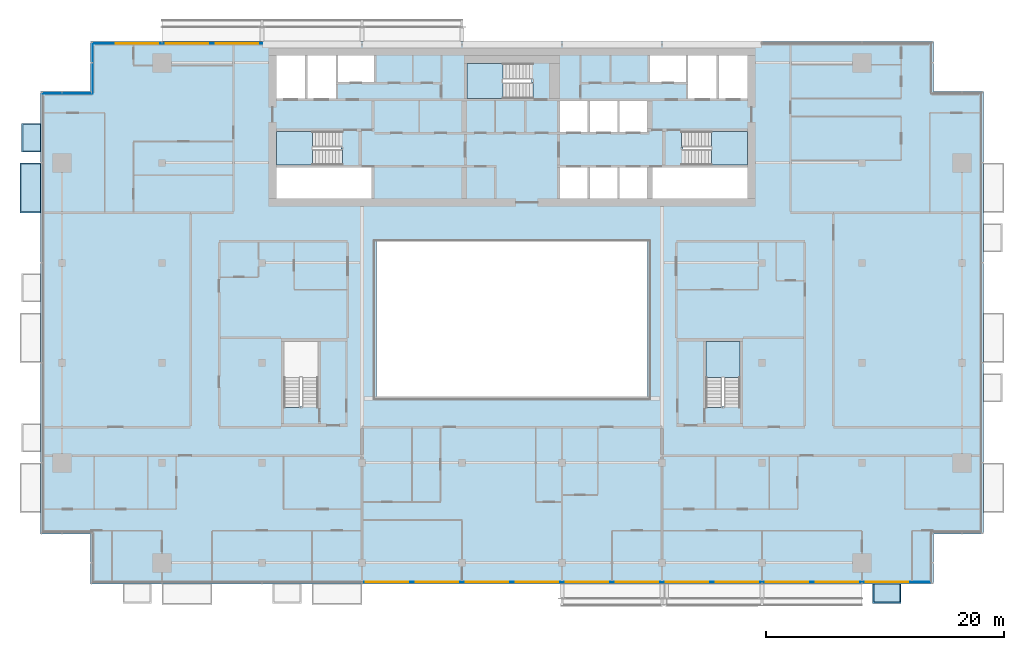
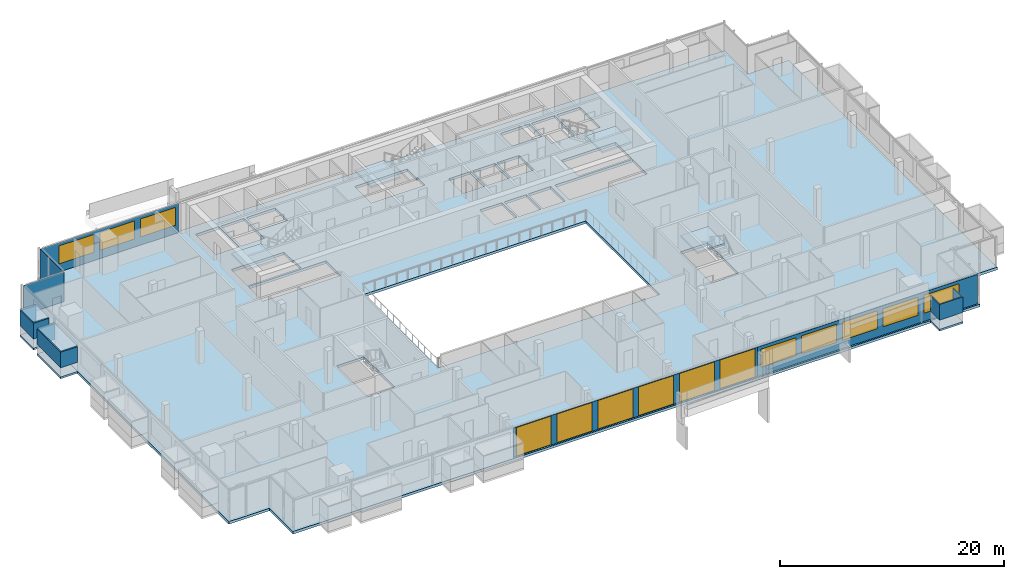
# One storey, part 15 of 27: 14 windows, 10 plates, 8 slabs, 14 openings, 8 elements without a shape of their own.
"""IFC4 building model written with IfcOpenShell, lengths in metres."""

from ifc_helpers import new_model, si_unit, direction, frame, frame_2d, origin, place, context, subcontext, project, spatial, polyline, rectangle, outline, extrude, material, layer, layer_set, type_object, element, fill, aggregate, save


model = new_model("IFC4")

# Units and contexts
model_context = context("Model", 3, precision=1e-05, world=origin(), true_north=direction((0.0, 1.0)))
body_context = subcontext(model_context, "Body", "Model", "MODEL_VIEW")
ifc_project = project(units=[si_unit("LENGTHUNIT", "METRE"), si_unit("AREAUNIT", "SQUARE_METRE"), si_unit("VOLUMEUNIT", "CUBIC_METRE"), si_unit("PLANEANGLEUNIT", "RADIAN"), si_unit("MASSUNIT", "GRAM", prefix="KILO")], contexts=[model_context])

# Site, building, storey
site_placement = place(None, origin())
site = spatial("IfcSite", under=ifc_project, at=site_placement, CompositionType="ELEMENT")
building_placement = place(site_placement, origin())
building = spatial("IfcBuilding", under=site, at=building_placement, Name="Saffron Gate Tower", CompositionType="ELEMENT")
storey_placement = place(building_placement, frame((0.0, 0.0, 212.699951171875)))
storey = spatial("IfcBuildingStorey", under=building, at=storey_placement, Name="L51", CompositionType="ELEMENT", Elevation=212.699951171875)

# Curtain wall, plates, openings, windows
ifc_material_1 = material(Name="Aluminium, bronze anodised", Category="aluminium")
curtain_wall_type_1 = type_object("IfcCurtainWallType", Name="CWS1 curtain wall front facade", PredefinedType="NOTDEFINED", material=ifc_material_1)
curtain_wall_1_placement = place(storey_placement, origin())
curtain_wall_1 = element("IfcCurtainWall", 1, at=curtain_wall_1_placement, inside=storey, type_object=curtain_wall_type_1, Name="CWS1 run 1", PredefinedType="NOTDEFINED")
ifc_material_2 = material(Name="Clear low-iron laminated glass", Category="glass")
ifc_layer_1 = layer(ifc_material_2, 0.028076171875)
ifc_layer_set_1 = layer_set([ifc_layer_1], Name="CWS1 clear glass")
plate_type_1 = type_object("IfcPlateType", Name="CWS1 clear glass", PredefinedType="CURTAIN_PANEL", material=ifc_layer_set_1)
plate_1_placement = place(storey_placement, frame((75.030029296875, 30.174072265625, 0.0), z_axis=(0.0, 0.0, 1.0), x_axis=(1.0, 0.0, 0.0)))
plate_1 = element("IfcPlate", 2, at=plate_1_placement, type_object=plate_type_1, Name="CWS1 clear glass panel", PredefinedType="CURTAIN_PANEL", context=body_context, shape_type="SweptSolid", body=[
    extrude(rectangle(XDim=25.139892578125, YDim=0.028076171875, at=frame_2d((12.56982421875, 0.0))), origin(), (0.0, 0.0, 1.0), 3.199951171875),
])
opening_1_placement = place(plate_1_placement, frame((0.27001953125, 0.0, 0.050048828125)))
opening_1 = element("IfcOpeningElement", 3, at=opening_1_placement, cuts=plate_1, Name="Opening WA", PredefinedType="OPENING", context=body_context, shape_type="SweptSolid", body=[
    extrude(rectangle(XDim=3.60009765625, YDim=3.10009765625, at=frame_2d((1.800048828125, 1.550048828125))), frame((0.0, 0.02392578125, 0.0), z_axis=(0.0, -1.0, 0.0), x_axis=(1.0, 0.0, 0.0)), (0.0, 0.0, 1.0), 0.048095703125),
])
opening_2_placement = place(plate_1_placement, frame((4.469970703125, 0.0, 0.050048828125)))
opening_2 = element("IfcOpeningElement", 4, at=opening_2_placement, cuts=plate_1, Name="Opening WA", PredefinedType="OPENING", context=body_context, shape_type="SweptSolid", body=[
    extrude(rectangle(XDim=3.60009765625, YDim=3.10009765625, at=frame_2d((1.800048828125, 1.550048828125))), frame((0.0, 0.02392578125, 0.0), z_axis=(0.0, -1.0, 0.0), x_axis=(1.0, 0.0, 0.0)), (0.0, 0.0, 1.0), 0.048095703125),
])
opening_3_placement = place(plate_1_placement, frame((8.669921875, 0.0, 0.050048828125)))
opening_3 = element("IfcOpeningElement", 5, at=opening_3_placement, cuts=plate_1, Name="Opening WA", PredefinedType="OPENING", context=body_context, shape_type="SweptSolid", body=[
    extrude(rectangle(XDim=3.60009765625, YDim=3.10009765625, at=frame_2d((1.800048828125, 1.550048828125))), frame((0.0, 0.02392578125, 0.0), z_axis=(0.0, -1.0, 0.0), x_axis=(1.0, 0.0, 0.0)), (0.0, 0.0, 1.0), 0.048095703125),
])
opening_4_placement = place(plate_1_placement, frame((12.8701171875, 0.0, 0.050048828125)))
opening_4 = element("IfcOpeningElement", 6, at=opening_4_placement, cuts=plate_1, Name="Opening WA", PredefinedType="OPENING", context=body_context, shape_type="SweptSolid", body=[
    extrude(rectangle(XDim=3.60009765625, YDim=3.10009765625, at=frame_2d((1.800048828125, 1.550048828125))), frame((0.0, 0.02392578125, 0.0), z_axis=(0.0, -1.0, 0.0), x_axis=(1.0, 0.0, 0.0)), (0.0, 0.0, 1.0), 0.048095703125),
])
opening_5_placement = place(plate_1_placement, frame((17.070068359375, 0.0, 0.050048828125)))
opening_5 = element("IfcOpeningElement", 7, at=opening_5_placement, cuts=plate_1, Name="Opening WA", PredefinedType="OPENING", context=body_context, shape_type="SweptSolid", body=[
    extrude(rectangle(XDim=3.60009765625, YDim=3.10009765625, at=frame_2d((1.800048828125, 1.550048828125))), frame((0.0, 0.02392578125, 0.0), z_axis=(0.0, -1.0, 0.0), x_axis=(1.0, 0.0, 0.0)), (0.0, 0.0, 1.0), 0.048095703125),
])
opening_6_placement = place(plate_1_placement, frame((21.27001953125, 0.0, 0.050048828125)))
opening_6 = element("IfcOpeningElement", 8, at=opening_6_placement, cuts=plate_1, Name="Opening WA", PredefinedType="OPENING", context=body_context, shape_type="SweptSolid", body=[
    extrude(rectangle(XDim=3.60009765625, YDim=3.10009765625, at=frame_2d((1.800048828125, 1.550048828125))), frame((0.0, 0.02392578125, 0.0), z_axis=(0.0, -1.0, 0.0), x_axis=(1.0, 0.0, 0.0)), (0.0, 0.0, 1.0), 0.048095703125),
])
ifc_material_3 = material(Name="Clear low-iron laminated glass in bronze frame", Category="glass")
ifc_layer_2 = layer(ifc_material_3, 0.06005859375)
ifc_layer_set_2 = layer_set([ifc_layer_2], Name="WA operable atrium unit 3600x3100")
window_type_1 = type_object("IfcWindowType", Name="WA operable atrium unit 3600x3100", PartitioningType="DOUBLE_PANEL_HORIZONTAL", PredefinedType="WINDOW", material=ifc_layer_set_2)
window_1_placement = place(opening_1_placement, origin())
window_1 = element("IfcWindow", 9, at=window_1_placement, type_object=window_type_1, Name="WA operable atrium unit", OverallHeight=3.10009765625, OverallWidth=3.60009765625, PartitioningType="SINGLE_PANEL", PredefinedType="WINDOW", context=body_context, shape_type="SweptSolid", body=[
    extrude(rectangle(XDim=3.60009765625, YDim=3.10009765625, at=frame_2d((1.800048828125, 1.550048828125))), frame((0.0, 0.013671875, 0.0), z_axis=(0.0, -1.0, 0.0), x_axis=(1.0, 0.0, 0.0)), (0.0, 0.0, 1.0), 0.027587890625),
])
fill(opening_1, window_1)
window_2_placement = place(opening_2_placement, origin())
window_2 = element("IfcWindow", 10, at=window_2_placement, type_object=window_type_1, Name="WA operable atrium unit", OverallHeight=3.10009765625, OverallWidth=3.60009765625, PartitioningType="SINGLE_PANEL", PredefinedType="WINDOW", context=body_context, shape_type="SweptSolid", body=[
    extrude(rectangle(XDim=3.60009765625, YDim=3.10009765625, at=frame_2d((1.800048828125, 1.550048828125))), frame((0.0, 0.013671875, 0.0), z_axis=(0.0, -1.0, 0.0), x_axis=(1.0, 0.0, 0.0)), (0.0, 0.0, 1.0), 0.027587890625),
])
fill(opening_2, window_2)
window_3_placement = place(opening_3_placement, origin())
window_3 = element("IfcWindow", 11, at=window_3_placement, type_object=window_type_1, Name="WA operable atrium unit", OverallHeight=3.10009765625, OverallWidth=3.60009765625, PartitioningType="SINGLE_PANEL", PredefinedType="WINDOW", context=body_context, shape_type="SweptSolid", body=[
    extrude(rectangle(XDim=3.60009765625, YDim=3.10009765625, at=frame_2d((1.800048828125, 1.550048828125))), frame((0.0, 0.013671875, 0.0), z_axis=(0.0, -1.0, 0.0), x_axis=(1.0, 0.0, 0.0)), (0.0, 0.0, 1.0), 0.027587890625),
])
fill(opening_3, window_3)
window_4_placement = place(opening_4_placement, origin())
window_4 = element("IfcWindow", 12, at=window_4_placement, type_object=window_type_1, Name="WA operable atrium unit", OverallHeight=3.10009765625, OverallWidth=3.60009765625, PartitioningType="SINGLE_PANEL", PredefinedType="WINDOW", context=body_context, shape_type="SweptSolid", body=[
    extrude(rectangle(XDim=3.60009765625, YDim=3.10009765625, at=frame_2d((1.800048828125, 1.550048828125))), frame((0.0, 0.013671875, 0.0), z_axis=(0.0, -1.0, 0.0), x_axis=(1.0, 0.0, 0.0)), (0.0, 0.0, 1.0), 0.027587890625),
])
fill(opening_4, window_4)
window_5_placement = place(opening_5_placement, origin())
window_5 = element("IfcWindow", 13, at=window_5_placement, type_object=window_type_1, Name="WA operable atrium unit", OverallHeight=3.10009765625, OverallWidth=3.60009765625, PartitioningType="SINGLE_PANEL", PredefinedType="WINDOW", context=body_context, shape_type="SweptSolid", body=[
    extrude(rectangle(XDim=3.60009765625, YDim=3.10009765625, at=frame_2d((1.800048828125, 1.550048828125))), frame((0.0, 0.013671875, 0.0), z_axis=(0.0, -1.0, 0.0), x_axis=(1.0, 0.0, 0.0)), (0.0, 0.0, 1.0), 0.027587890625),
])
fill(opening_5, window_5)
window_6_placement = place(opening_6_placement, origin())
window_6 = element("IfcWindow", 14, at=window_6_placement, type_object=window_type_1, Name="WA operable atrium unit", OverallHeight=3.10009765625, OverallWidth=3.60009765625, PartitioningType="SINGLE_PANEL", PredefinedType="WINDOW", context=body_context, shape_type="SweptSolid", body=[
    extrude(rectangle(XDim=3.60009765625, YDim=3.10009765625, at=frame_2d((1.800048828125, 1.550048828125))), frame((0.0, 0.013671875, 0.0), z_axis=(0.0, -1.0, 0.0), x_axis=(1.0, 0.0, 0.0)), (0.0, 0.0, 1.0), 0.027587890625),
])
fill(opening_6, window_6)
ifc_material_4 = material(Name="Fritted bronze-tinted laminated glass", Category="glass")
ifc_layer_3 = layer(ifc_material_4, 0.028076171875)
ifc_layer_set_3 = layer_set([ifc_layer_3], Name="CWS1 fixed glass")
plate_type_2 = type_object("IfcPlateType", Name="CWS1 fixed glass", PredefinedType="CURTAIN_PANEL", material=ifc_layer_set_3)
plate_2_placement = place(storey_placement, frame((100.169921875, 30.174072265625, 0.0), z_axis=(0.0, 0.0, 1.0), x_axis=(1.0, 0.0, 0.0)))
plate_2 = element("IfcPlate", 15, at=plate_2_placement, type_object=plate_type_2, Name="CWS1 glass panel", PredefinedType="CURTAIN_PANEL", context=body_context, shape_type="SweptSolid", body=[
    extrude(rectangle(XDim=22.64208984375, YDim=0.028076171875, at=frame_2d((11.321044921875, 0.0))), origin(), (0.0, 0.0, 1.0), 3.199951171875),
])
opening_7_placement = place(plate_2_placement, frame((0.330078125, 0.0, 0.89990234375)))
opening_7 = element("IfcOpeningElement", 16, at=opening_7_placement, cuts=plate_2, Name="Opening W1", PredefinedType="OPENING", context=body_context, shape_type="SweptSolid", body=[
    extrude(rectangle(XDim=3.60009765625, YDim=1.949951171875, at=frame_2d((1.800048828125, 0.97509765625))), frame((0.0, 0.02392578125, 0.0), z_axis=(0.0, -1.0, 0.0), x_axis=(1.0, 0.0, 0.0)), (0.0, 0.0, 1.0), 0.048095703125),
])
opening_8_placement = place(plate_2_placement, frame((4.530029296875, 0.0, 0.89990234375)))
opening_8 = element("IfcOpeningElement", 17, at=opening_8_placement, cuts=plate_2, Name="Opening W1", PredefinedType="OPENING", context=body_context, shape_type="SweptSolid", body=[
    extrude(rectangle(XDim=3.60009765625, YDim=1.949951171875, at=frame_2d((1.800048828125, 0.97509765625))), frame((0.0, 0.02392578125, 0.0), z_axis=(0.0, -1.0, 0.0), x_axis=(1.0, 0.0, 0.0)), (0.0, 0.0, 1.0), 0.048095703125),
])
opening_9_placement = place(plate_2_placement, frame((8.72998046875, 0.0, 0.89990234375)))
opening_9 = element("IfcOpeningElement", 18, at=opening_9_placement, cuts=plate_2, Name="Opening W1", PredefinedType="OPENING", context=body_context, shape_type="SweptSolid", body=[
    extrude(rectangle(XDim=3.60009765625, YDim=1.949951171875, at=frame_2d((1.800048828125, 0.97509765625))), frame((0.0, 0.02392578125, 0.0), z_axis=(0.0, -1.0, 0.0), x_axis=(1.0, 0.0, 0.0)), (0.0, 0.0, 1.0), 0.048095703125),
])
opening_10_placement = place(plate_2_placement, frame((12.929931640625, 0.0, 0.89990234375)))
opening_10 = element("IfcOpeningElement", 19, at=opening_10_placement, cuts=plate_2, Name="Opening W1", PredefinedType="OPENING", context=body_context, shape_type="SweptSolid", body=[
    extrude(rectangle(XDim=3.60009765625, YDim=1.949951171875, at=frame_2d((1.800048828125, 0.97509765625))), frame((0.0, 0.02392578125, 0.0), z_axis=(0.0, -1.0, 0.0), x_axis=(1.0, 0.0, 0.0)), (0.0, 0.0, 1.0), 0.048095703125),
])
opening_11_placement = place(plate_2_placement, frame((17.1298828125, 0.0, 0.89990234375)))
opening_11 = element("IfcOpeningElement", 20, at=opening_11_placement, cuts=plate_2, Name="Opening W1", PredefinedType="OPENING", context=body_context, shape_type="SweptSolid", body=[
    extrude(rectangle(XDim=3.60009765625, YDim=1.949951171875, at=frame_2d((1.800048828125, 0.97509765625))), frame((0.0, 0.02392578125, 0.0), z_axis=(0.0, -1.0, 0.0), x_axis=(1.0, 0.0, 0.0)), (0.0, 0.0, 1.0), 0.048095703125),
])
ifc_material_5 = material(Name="Fritted bronze-tinted laminated glass in bronze frame", Category="glass")
ifc_layer_4 = layer(ifc_material_5, 0.06005859375)
ifc_layer_set_4 = layer_set([ifc_layer_4], Name="W1 operable panel 3600x1950")
window_type_2 = type_object("IfcWindowType", Name="W1 operable panel 3600x1950", PartitioningType="DOUBLE_PANEL_HORIZONTAL", PredefinedType="WINDOW", material=ifc_layer_set_4)
window_7_placement = place(opening_7_placement, origin())
window_7 = element("IfcWindow", 21, at=window_7_placement, type_object=window_type_2, Name="W1 operable panel", OverallHeight=1.949951171875, OverallWidth=3.60009765625, PartitioningType="SINGLE_PANEL", PredefinedType="WINDOW", context=body_context, shape_type="SweptSolid", body=[
    extrude(rectangle(XDim=3.60009765625, YDim=1.949951171875, at=frame_2d((1.800048828125, 0.97509765625))), frame((0.0, 0.013671875, 0.0), z_axis=(0.0, -1.0, 0.0), x_axis=(1.0, 0.0, 0.0)), (0.0, 0.0, 1.0), 0.027587890625),
])
fill(opening_7, window_7)
window_8_placement = place(opening_8_placement, origin())
window_8 = element("IfcWindow", 22, at=window_8_placement, type_object=window_type_2, Name="W1 operable panel", OverallHeight=1.949951171875, OverallWidth=3.60009765625, PartitioningType="SINGLE_PANEL", PredefinedType="WINDOW", context=body_context, shape_type="SweptSolid", body=[
    extrude(rectangle(XDim=3.60009765625, YDim=1.949951171875, at=frame_2d((1.800048828125, 0.97509765625))), frame((0.0, 0.013671875, 0.0), z_axis=(0.0, -1.0, 0.0), x_axis=(1.0, 0.0, 0.0)), (0.0, 0.0, 1.0), 0.027587890625),
])
fill(opening_8, window_8)
window_9_placement = place(opening_9_placement, origin())
window_9 = element("IfcWindow", 23, at=window_9_placement, type_object=window_type_2, Name="W1 operable panel", OverallHeight=1.949951171875, OverallWidth=3.60009765625, PartitioningType="SINGLE_PANEL", PredefinedType="WINDOW", context=body_context, shape_type="SweptSolid", body=[
    extrude(rectangle(XDim=3.60009765625, YDim=1.949951171875, at=frame_2d((1.800048828125, 0.97509765625))), frame((0.0, 0.013671875, 0.0), z_axis=(0.0, -1.0, 0.0), x_axis=(1.0, 0.0, 0.0)), (0.0, 0.0, 1.0), 0.027587890625),
])
fill(opening_9, window_9)
window_10_placement = place(opening_10_placement, origin())
window_10 = element("IfcWindow", 24, at=window_10_placement, type_object=window_type_2, Name="W1 operable panel", OverallHeight=1.949951171875, OverallWidth=3.60009765625, PartitioningType="SINGLE_PANEL", PredefinedType="WINDOW", context=body_context, shape_type="SweptSolid", body=[
    extrude(rectangle(XDim=3.60009765625, YDim=1.949951171875, at=frame_2d((1.800048828125, 0.97509765625))), frame((0.0, 0.013671875, 0.0), z_axis=(0.0, -1.0, 0.0), x_axis=(1.0, 0.0, 0.0)), (0.0, 0.0, 1.0), 0.027587890625),
])
fill(opening_10, window_10)
window_11_placement = place(opening_11_placement, origin())
window_11 = element("IfcWindow", 25, at=window_11_placement, type_object=window_type_2, Name="W1 operable panel", OverallHeight=1.949951171875, OverallWidth=3.60009765625, PartitioningType="SINGLE_PANEL", PredefinedType="WINDOW", context=body_context, shape_type="SweptSolid", body=[
    extrude(rectangle(XDim=3.60009765625, YDim=1.949951171875, at=frame_2d((1.800048828125, 0.97509765625))), frame((0.0, 0.013671875, 0.0), z_axis=(0.0, -1.0, 0.0), x_axis=(1.0, 0.0, 0.0)), (0.0, 0.0, 1.0), 0.027587890625),
])
fill(opening_11, window_11)
aggregate(curtain_wall_1, [plate_2, plate_1, window_7, window_8, window_9, window_10, window_11, window_1, window_2, window_3, window_4, window_5, window_6])

# Curtain wall, plate, openings, windows
curtain_wall_type_2 = type_object("IfcCurtainWallType", Name="CWS3 curtain wall rear facade", PredefinedType="NOTDEFINED", material=ifc_material_1)
curtain_wall_2_placement = place(storey_placement, origin())
curtain_wall_2 = element("IfcCurtainWall", 26, at=curtain_wall_2_placement, inside=storey, type_object=curtain_wall_type_2, Name="CWS3 run 7", PredefinedType="NOTDEFINED")
ifc_material_6 = material(Name="Fritted grey-tinted laminated glass", Category="glass")
ifc_layer_5 = layer(ifc_material_6, 0.028076171875)
ifc_layer_set_5 = layer_set([ifc_layer_5], Name="CWS3 fixed glass")
plate_type_3 = type_object("IfcPlateType", Name="CWS3 fixed glass", PredefinedType="CURTAIN_PANEL", material=ifc_layer_set_5)
plate_3_placement = place(storey_placement, frame((66.635009765625, 75.426025390625, 0.0), z_axis=(0.0, 0.0, 1.0), x_axis=(-1.0, 0.0, 0.0)))
plate_3 = element("IfcPlate", 27, at=plate_3_placement, type_object=plate_type_3, Name="CWS3 glass panel", PredefinedType="CURTAIN_PANEL", context=body_context, shape_type="SweptSolid", body=[
    extrude(rectangle(XDim=14.2470703125, YDim=0.028076171875, at=frame_2d((7.12353515625, 0.0))), origin(), (0.0, 0.0, 1.0), 3.199951171875),
])
opening_12_placement = place(plate_3_placement, frame((0.3349609375, 0.0, 0.89990234375)))
opening_12 = element("IfcOpeningElement", 28, at=opening_12_placement, cuts=plate_3, Name="Opening W1", PredefinedType="OPENING", context=body_context, shape_type="SweptSolid", body=[
    extrude(rectangle(XDim=3.60009765625, YDim=1.949951171875, at=frame_2d((1.800048828125, 0.97509765625))), frame((0.0, 0.02392578125, 0.0), z_axis=(0.0, -1.0, 0.0), x_axis=(1.0, 0.0, 0.0)), (0.0, 0.0, 1.0), 0.048095703125),
])
opening_13_placement = place(plate_3_placement, frame((4.534912109375, 0.0, 0.89990234375)))
opening_13 = element("IfcOpeningElement", 29, at=opening_13_placement, cuts=plate_3, Name="Opening W1", PredefinedType="OPENING", context=body_context, shape_type="SweptSolid", body=[
    extrude(rectangle(XDim=3.60009765625, YDim=1.949951171875, at=frame_2d((1.800048828125, 0.97509765625))), frame((0.0, 0.02392578125, 0.0), z_axis=(0.0, -1.0, 0.0), x_axis=(1.0, 0.0, 0.0)), (0.0, 0.0, 1.0), 0.048095703125),
])
opening_14_placement = place(plate_3_placement, frame((8.735107421875, 0.0, 0.89990234375)))
opening_14 = element("IfcOpeningElement", 30, at=opening_14_placement, cuts=plate_3, Name="Opening W1", PredefinedType="OPENING", context=body_context, shape_type="SweptSolid", body=[
    extrude(rectangle(XDim=3.60009765625, YDim=1.949951171875, at=frame_2d((1.800048828125, 0.97509765625))), frame((0.0, 0.02392578125, 0.0), z_axis=(0.0, -1.0, 0.0), x_axis=(1.0, 0.0, 0.0)), (0.0, 0.0, 1.0), 0.048095703125),
])
window_12_placement = place(opening_12_placement, origin())
window_12 = element("IfcWindow", 31, at=window_12_placement, type_object=window_type_2, Name="W1 operable panel", OverallHeight=1.949951171875, OverallWidth=3.60009765625, PartitioningType="SINGLE_PANEL", PredefinedType="WINDOW", context=body_context, shape_type="SweptSolid", body=[
    extrude(rectangle(XDim=3.60009765625, YDim=1.949951171875, at=frame_2d((1.800048828125, 0.97509765625))), frame((0.0, 0.013671875, 0.0), z_axis=(0.0, -1.0, 0.0), x_axis=(1.0, 0.0, 0.0)), (0.0, 0.0, 1.0), 0.027587890625),
])
fill(opening_12, window_12)
window_13_placement = place(opening_13_placement, origin())
window_13 = element("IfcWindow", 32, at=window_13_placement, type_object=window_type_2, Name="W1 operable panel", OverallHeight=1.949951171875, OverallWidth=3.60009765625, PartitioningType="SINGLE_PANEL", PredefinedType="WINDOW", context=body_context, shape_type="SweptSolid", body=[
    extrude(rectangle(XDim=3.60009765625, YDim=1.949951171875, at=frame_2d((1.800048828125, 0.97509765625))), frame((0.0, 0.013671875, 0.0), z_axis=(0.0, -1.0, 0.0), x_axis=(1.0, 0.0, 0.0)), (0.0, 0.0, 1.0), 0.027587890625),
])
fill(opening_13, window_13)
window_14_placement = place(opening_14_placement, origin())
window_14 = element("IfcWindow", 33, at=window_14_placement, type_object=window_type_2, Name="W1 operable panel", OverallHeight=1.949951171875, OverallWidth=3.60009765625, PartitioningType="SINGLE_PANEL", PredefinedType="WINDOW", context=body_context, shape_type="SweptSolid", body=[
    extrude(rectangle(XDim=3.60009765625, YDim=1.949951171875, at=frame_2d((1.800048828125, 0.97509765625))), frame((0.0, 0.013671875, 0.0), z_axis=(0.0, -1.0, 0.0), x_axis=(1.0, 0.0, 0.0)), (0.0, 0.0, 1.0), 0.027587890625),
])
fill(opening_14, window_14)
aggregate(curtain_wall_2, [plate_3, window_12, window_13, window_14])

# Curtain wall, plate
curtain_wall_type_3 = type_object("IfcCurtainWallType", Name="CWS4 curtain wall corner returns", PredefinedType="NOTDEFINED", material=ifc_material_1)
curtain_wall_3_placement = place(storey_placement, origin())
curtain_wall_3 = element("IfcCurtainWall", 34, at=curtain_wall_3_placement, inside=storey, type_object=curtain_wall_type_3, Name="CWS4 run 8", PredefinedType="NOTDEFINED")
ifc_layer_6 = layer(ifc_material_4, 0.028076171875)
ifc_layer_set_6 = layer_set([ifc_layer_6], Name="CWS4 fixed glass")
plate_type_4 = type_object("IfcPlateType", Name="CWS4 fixed glass", PredefinedType="CURTAIN_PANEL", material=ifc_layer_set_6)
plate_4_placement = place(storey_placement, frame((52.3740234375, 75.412109375, 0.0), z_axis=(0.0, 0.0, 1.0), x_axis=(0.0, -1.0, 0.0)))
plate_4 = element("IfcPlate", 35, at=plate_4_placement, type_object=plate_type_4, Name="CWS4 glass panel", PredefinedType="CURTAIN_PANEL", context=body_context, shape_type="SweptSolid", body=[
    extrude(rectangle(XDim=4.172119140625, YDim=0.028076171875, at=frame_2d((2.0859375, 0.0))), origin(), (0.0, 0.0, 1.0), 3.199951171875),
])
aggregate(curtain_wall_3, [plate_4])

curtain_wall_4_placement = place(storey_placement, origin())
curtain_wall_4 = element("IfcCurtainWall", 36, at=curtain_wall_4_placement, inside=storey, type_object=curtain_wall_type_3, Name="CWS4 run 9", PredefinedType="NOTDEFINED")
plate_5_placement = place(storey_placement, frame((52.360107421875, 71.22607421875, 0.0), z_axis=(0.0, 0.0, 1.0), x_axis=(-1.0, 0.0, 0.0)))
plate_5 = element("IfcPlate", 37, at=plate_5_placement, type_object=plate_type_4, Name="CWS4 glass panel", PredefinedType="CURTAIN_PANEL", context=body_context, shape_type="SweptSolid", body=[
    extrude(rectangle(XDim=4.172119140625, YDim=0.028076171875, at=frame_2d((2.0859375, 0.0))), origin(), (0.0, 0.0, 1.0), 3.199951171875),
])
aggregate(curtain_wall_4, [plate_5])

# Slab
ifc_material_7 = material(Name="Concrete C40", Category="concrete")
ifc_layer_7 = layer(ifc_material_7, 0.280029296875)
ifc_layer_set_7 = layer_set([ifc_layer_7], Name="S2 FLOOR SLAB 280 CONCRETE C40")
slab_type_1 = type_object("IfcSlabType", Name="S2 FLOOR SLAB 280 CONCRETE C40", PredefinedType="FLOOR", material=ifc_layer_set_7)
slab_1_placement = place(storey_placement, frame((0.0, 0.0, -0.280029296875)))
element("IfcSlab", 38, at=slab_1_placement, inside=storey, type_object=slab_type_1, Name="S2 FLOOR SLAB", PredefinedType="FLOOR", context=body_context, shape_type="SweptSolid", body=[
    extrude(outline(polyline([(48.0, 34.199951171875), (52.199951171875, 34.199951171875), (52.199951171875, 30.0), (123.0, 30.0), (123.0, 34.199951171875), (127.199951171875, 34.199951171875), (127.199951171875, 71.39990234375), (123.0, 71.39990234375), (123.0, 75.60009765625), (52.199951171875, 75.60009765625), (52.199951171875, 71.39990234375), (48.0, 71.39990234375), (48.0, 34.199951171875)]), holes=[polyline([(67.800048828125, 62.39990234375), (67.800048828125, 65.0), (75.800048828125, 65.0), (75.800048828125, 62.39990234375), (67.800048828125, 62.39990234375)]), polyline([(67.800048828125, 65.199951171875), (67.800048828125, 68.050048828125), (73.25, 68.050048828125), (73.25, 66.550048828125), (73.34912109375, 66.550048828125), (73.34912109375, 65.199951171875), (67.800048828125, 65.199951171875)]), polyline([(67.800048828125, 70.800048828125), (67.800048828125, 74.39990234375), (70.199951171875, 74.39990234375), (70.199951171875, 70.800048828125), (67.800048828125, 70.800048828125)]), polyline([(68.449951171875, 44.85107421875), (68.449951171875, 50.39990234375), (71.300048828125, 50.39990234375), (71.300048828125, 44.949951171875), (69.800048828125, 44.949951171875), (69.800048828125, 44.85107421875), (68.449951171875, 44.85107421875)]), polyline([(70.39990234375, 70.800048828125), (70.39990234375, 74.39990234375), (72.800048828125, 74.39990234375), (72.800048828125, 70.800048828125), (70.39990234375, 70.800048828125)]), polyline([(73.0, 72.199951171875), (73.0, 74.39990234375), (76.0, 74.39990234375), (76.0, 72.199951171875), (73.0, 72.199951171875)]), polyline([(76.199951171875, 45.60009765625), (76.199951171875, 58.800048828125), (99.0, 58.800048828125), (99.0, 45.60009765625), (76.199951171875, 45.60009765625)]), polyline([(83.800048828125, 70.800048828125), (83.800048828125, 73.75), (89.25, 73.75), (89.25, 72.14990234375), (89.34912109375, 72.14990234375), (89.34912109375, 70.800048828125), (83.800048828125, 70.800048828125)]), polyline([(91.64990234375, 62.39990234375), (91.64990234375, 65.0), (93.949951171875, 65.0), (93.949951171875, 62.39990234375), (91.64990234375, 62.39990234375)]), polyline([(91.64990234375, 68.0), (91.64990234375, 70.60009765625), (93.949951171875, 70.60009765625), (93.949951171875, 68.0), (91.64990234375, 68.0)]), polyline([(94.14990234375, 62.39990234375), (94.14990234375, 65.0), (96.449951171875, 65.0), (96.449951171875, 62.39990234375), (94.14990234375, 62.39990234375)]), polyline([(94.14990234375, 68.0), (94.14990234375, 70.60009765625), (96.449951171875, 70.60009765625), (96.449951171875, 68.0), (94.14990234375, 68.0)]), polyline([(96.64990234375, 62.39990234375), (96.64990234375, 65.0), (98.949951171875, 65.0), (98.949951171875, 62.39990234375), (96.64990234375, 62.39990234375)]), polyline([(96.64990234375, 68.0), (96.64990234375, 70.60009765625), (98.949951171875, 70.60009765625), (98.949951171875, 68.0), (96.64990234375, 68.0)]), polyline([(99.199951171875, 72.199951171875), (99.199951171875, 74.39990234375), (102.199951171875, 74.39990234375), (102.199951171875, 72.199951171875), (99.199951171875, 72.199951171875)]), polyline([(99.39990234375, 62.39990234375), (99.39990234375, 65.0), (107.39990234375, 65.0), (107.39990234375, 62.39990234375), (99.39990234375, 62.39990234375)]), polyline([(101.85107421875, 66.699951171875), (101.85107421875, 68.050048828125), (107.39990234375, 68.050048828125), (107.39990234375, 65.199951171875), (101.949951171875, 65.199951171875), (101.949951171875, 66.699951171875), (101.85107421875, 66.699951171875)]), polyline([(102.39990234375, 70.800048828125), (102.39990234375, 74.39990234375), (104.800048828125, 74.39990234375), (104.800048828125, 70.800048828125), (102.39990234375, 70.800048828125)]), polyline([(103.89990234375, 44.85107421875), (103.89990234375, 50.39990234375), (106.75, 50.39990234375), (106.75, 44.949951171875), (105.25, 44.949951171875), (105.25, 44.85107421875), (103.89990234375, 44.85107421875)]), polyline([(105.0, 70.800048828125), (105.0, 74.39990234375), (107.39990234375, 74.39990234375), (107.39990234375, 70.800048828125), (105.0, 70.800048828125)])]), origin(), (0.0, 0.0, 1.0), 0.280029296875),
])

# Stair, slab
stair_type = type_object("IfcStairType", Name="ST7 Stair 1350 wide, 20 risers of 180", PredefinedType="HALF_TURN_STAIR", material=ifc_material_7)
stair_1_placement = place(storey_placement, origin())
stair_1 = element("IfcStair", 39, at=stair_1_placement, inside=storey, type_object=stair_type, Name="L51 Exit stair A", PredefinedType="HALF_TURN_STAIR")
ifc_layer_8 = layer(ifc_material_7, 0.199951171875)
ifc_layer_set_8 = layer_set([ifc_layer_8], Name="SL1 Stair landing 200")
slab_type_2 = type_object("IfcSlabType", Name="SL1 Stair landing 200", PredefinedType="LANDING", material=ifc_layer_set_8)
slab_2_placement = place(storey_placement, frame((0.0, 0.0, 1.60009765625)))
slab_2 = element("IfcSlab", 40, at=slab_2_placement, type_object=slab_type_2, Name="ST-A landing 1", PredefinedType="LANDING", context=body_context, shape_type="SweptSolid", body=[
    extrude(outline(polyline([(70.830078125, 68.050048828125), (67.800048828125, 68.050048828125), (67.800048828125, 65.199951171875), (70.830078125, 65.199951171875), (70.830078125, 68.050048828125)])), origin(), (0.0, 0.0, 1.0), 0.199951171875),
])
aggregate(stair_1, [slab_2])

stair_2_placement = place(storey_placement, origin())
stair_2 = element("IfcStair", 41, at=stair_2_placement, inside=storey, type_object=stair_type, Name="L51 Exit stair B", PredefinedType="HALF_TURN_STAIR")
slab_3_placement = place(storey_placement, frame((0.0, 0.0, 1.60009765625)))
slab_3 = element("IfcSlab", 42, at=slab_3_placement, type_object=slab_type_2, Name="ST-B landing 1", PredefinedType="LANDING", context=body_context, shape_type="SweptSolid", body=[
    extrude(outline(polyline([(104.3701171875, 65.199951171875), (107.39990234375, 65.199951171875), (107.39990234375, 68.050048828125), (104.3701171875, 68.050048828125), (104.3701171875, 65.199951171875)])), origin(), (0.0, 0.0, 1.0), 0.199951171875),
])
aggregate(stair_2, [slab_3])

stair_3_placement = place(storey_placement, origin())
stair_3 = element("IfcStair", 43, at=stair_3_placement, inside=storey, type_object=stair_type, Name="L51 Exit stair C", PredefinedType="HALF_TURN_STAIR")
slab_4_placement = place(storey_placement, frame((0.0, 0.0, 1.60009765625)))
slab_4 = element("IfcSlab", 44, at=slab_4_placement, type_object=slab_type_2, Name="ST-C landing 1", PredefinedType="LANDING", context=body_context, shape_type="SweptSolid", body=[
    extrude(outline(polyline([(86.830078125, 73.75), (83.800048828125, 73.75), (83.800048828125, 70.800048828125), (86.830078125, 70.800048828125), (86.830078125, 73.75)])), origin(), (0.0, 0.0, 1.0), 0.199951171875),
])
aggregate(stair_3, [slab_4])

stair_4_placement = place(storey_placement, origin())
stair_4 = element("IfcStair", 45, at=stair_4_placement, inside=storey, type_object=stair_type, Name="L51 Exit stair E", PredefinedType="HALF_TURN_STAIR")
slab_5_placement = place(storey_placement, frame((0.0, 0.0, 1.60009765625)))
slab_5 = element("IfcSlab", 46, at=slab_5_placement, type_object=slab_type_2, Name="ST-E landing 1", PredefinedType="LANDING", context=body_context, shape_type="SweptSolid", body=[
    extrude(outline(polyline([(106.75, 47.3701171875), (106.75, 50.39990234375), (103.89990234375, 50.39990234375), (103.89990234375, 47.3701171875), (106.75, 47.3701171875)])), origin(), (0.0, 0.0, 1.0), 0.199951171875),
])
aggregate(stair_4, [slab_5])

# Slabs
ifc_material_8 = material(Name="Timber deck on bronze frame", Category="wood")
ifc_layer_9 = layer(ifc_material_8, 0.199951171875)
ifc_layer_set_9 = layer_set([ifc_layer_9], Name="WB1 box floor")
slab_type_3 = type_object("IfcSlabType", Name="WB1 box floor", PredefinedType="FLOOR", material=ifc_layer_set_9)
slab_6_placement = place(storey_placement, frame((0.0, 0.0, -0.199951171875)))
element("IfcSlab", 47, at=slab_6_placement, inside=storey, type_object=slab_type_3, Name="WINDOW BOX floor", PredefinedType="FLOOR", context=body_context, shape_type="SweptSolid", body=[
    extrude(outline(polyline([(117.89990234375, 30.0), (120.300048828125, 30.0), (120.300048828125, 28.39990234375), (117.89990234375, 28.39990234375), (117.89990234375, 30.0)])), origin(), (0.0, 0.0, 1.0), 0.199951171875),
])
slab_7_placement = place(storey_placement, frame((0.0, 0.0, -0.199951171875)))
element("IfcSlab", 48, at=slab_7_placement, inside=storey, type_object=slab_type_3, Name="WINDOW BOX floor", PredefinedType="FLOOR", context=body_context, shape_type="SweptSolid", body=[
    extrude(outline(polyline([(48.0, 68.699951171875), (48.0, 66.300048828125), (46.39990234375, 66.300048828125), (46.39990234375, 68.699951171875), (48.0, 68.699951171875)])), origin(), (0.0, 0.0, 1.0), 0.199951171875),
])
slab_8_placement = place(storey_placement, frame((0.0, 0.0, -0.199951171875)))
element("IfcSlab", 49, at=slab_8_placement, inside=storey, type_object=slab_type_3, Name="WINDOW BOX floor", PredefinedType="FLOOR", context=body_context, shape_type="SweptSolid", body=[
    extrude(outline(polyline([(48.0, 65.39990234375), (48.0, 61.199951171875), (46.26708984375, 61.199951171875), (46.26708984375, 65.39990234375), (48.0, 65.39990234375)])), origin(), (0.0, 0.0, 1.0), 0.199951171875),
])

# Plates
ifc_layer_10 = layer(ifc_material_1, 0.1201171875)
ifc_layer_set_10 = layer_set([ifc_layer_10], Name="WB2 box roof")
plate_type_5 = type_object("IfcPlateType", Name="WB2 box roof", PredefinedType="SHEET", material=ifc_layer_set_10)
plate_6_placement = place(storey_placement, frame((0.0, 0.0, 2.699951171875)))
element("IfcPlate", 50, at=plate_6_placement, inside=storey, type_object=plate_type_5, Name="WINDOW BOX roof", PredefinedType="SHEET", context=body_context, shape_type="SweptSolid", body=[
    extrude(outline(polyline([(48.0, 68.699951171875), (48.0, 66.300048828125), (46.39990234375, 66.300048828125), (46.39990234375, 68.699951171875), (48.0, 68.699951171875)])), origin(), (0.0, 0.0, 1.0), 0.1201171875),
])
plate_7_placement = place(storey_placement, frame((0.0, 0.0, 2.699951171875)))
element("IfcPlate", 51, at=plate_7_placement, inside=storey, type_object=plate_type_5, Name="WINDOW BOX roof", PredefinedType="SHEET", context=body_context, shape_type="SweptSolid", body=[
    extrude(outline(polyline([(48.0, 65.39990234375), (48.0, 61.199951171875), (46.26708984375, 61.199951171875), (46.26708984375, 65.39990234375), (48.0, 65.39990234375)])), origin(), (0.0, 0.0, 1.0), 0.1201171875),
])
ifc_layer_11 = layer(ifc_material_2, 0.10009765625)
ifc_layer_set_11 = layer_set([ifc_layer_11], Name="WB6 box glazing")
plate_type_6 = type_object("IfcPlateType", Name="WB6 box glazing", PredefinedType="SHEET", material=ifc_layer_set_11)
plate_8_placement = place(storey_placement, frame((0.0, 0.0, 1.0)))
element("IfcPlate", 52, at=plate_8_placement, inside=storey, type_object=plate_type_6, Name="WINDOW BOX glazing", PredefinedType="SHEET", context=body_context, shape_type="SweptSolid", body=[
    extrude(outline(polyline([(117.89990234375, 30.0), (118.0, 30.0), (118.0, 28.5), (120.199951171875, 28.5), (120.199951171875, 30.0), (120.300048828125, 30.0), (120.300048828125, 28.39990234375), (117.89990234375, 28.39990234375), (117.89990234375, 30.0)])), origin(), (0.0, 0.0, 1.0), 1.699951171875),
])
plate_9_placement = place(storey_placement, frame((0.0, 0.0, 1.0)))
element("IfcPlate", 53, at=plate_9_placement, inside=storey, type_object=plate_type_6, Name="WINDOW BOX glazing", PredefinedType="SHEET", context=body_context, shape_type="SweptSolid", body=[
    extrude(outline(polyline([(48.0, 68.699951171875), (48.0, 68.60009765625), (46.5, 68.60009765625), (46.5, 66.39990234375), (48.0, 66.39990234375), (48.0, 66.300048828125), (46.39990234375, 66.300048828125), (46.39990234375, 68.699951171875), (48.0, 68.699951171875)])), origin(), (0.0, 0.0, 1.0), 1.699951171875),
])
plate_10_placement = place(storey_placement, frame((0.0, 0.0, 1.0)))
element("IfcPlate", 54, at=plate_10_placement, inside=storey, type_object=plate_type_6, Name="WINDOW BOX glazing", PredefinedType="SHEET", context=body_context, shape_type="SweptSolid", body=[
    extrude(outline(polyline([(48.0, 65.39990234375), (48.0, 65.300048828125), (46.366943359375, 65.300048828125), (46.366943359375, 61.300048828125), (48.0, 61.300048828125), (48.0, 61.199951171875), (46.26708984375, 61.199951171875), (46.26708984375, 65.39990234375), (48.0, 65.39990234375)])), origin(), (0.0, 0.0, 1.0), 1.699951171875),
])

save(model, "model.ifc")
